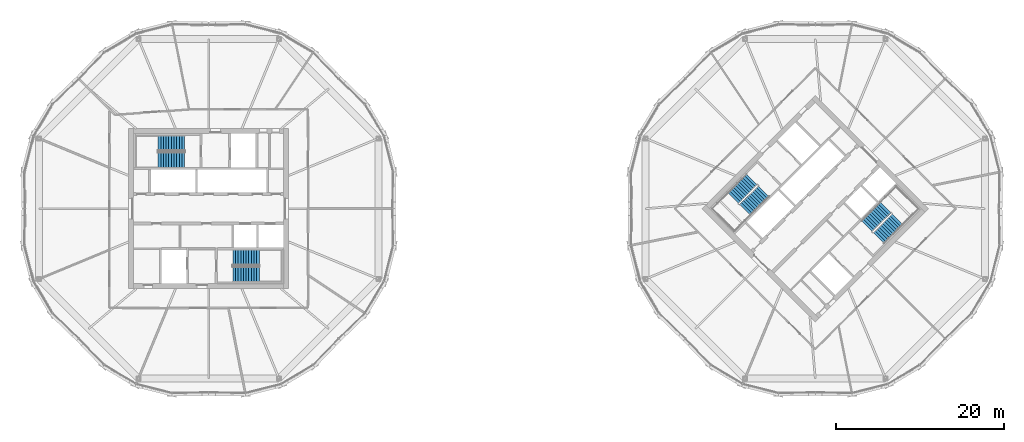
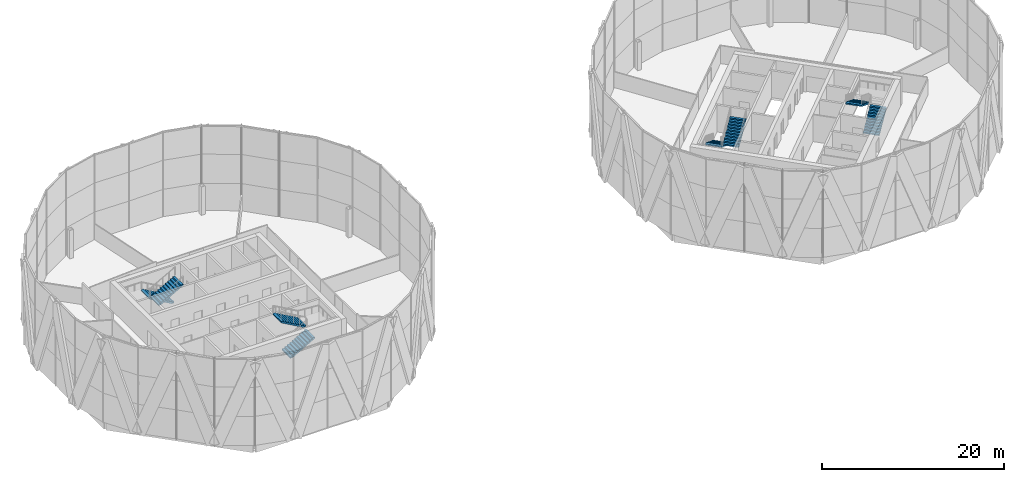
# One storey, part 21 of 23: 8 stair flights, 4 elements without a shape of their own.
"""IFC4 building model written with IfcOpenShell, lengths in metres."""

from ifc_helpers import new_model, si_unit, direction, frame, origin, place, context, subcontext, project, spatial, polyline, outline, extrude, material, type_object, element, aggregate, save


model = new_model("IFC4")

# Units and contexts
model_context = context("Model", 3, precision=1e-05, world=origin(), true_north=direction((0.0, 1.0)))
body_context = subcontext(model_context, "Body", "Model", "MODEL_VIEW")
ifc_project = project(units=[si_unit("LENGTHUNIT", "METRE"), si_unit("AREAUNIT", "SQUARE_METRE"), si_unit("VOLUMEUNIT", "CUBIC_METRE"), si_unit("PLANEANGLEUNIT", "RADIAN"), si_unit("MASSUNIT", "GRAM", prefix="KILO")], contexts=[model_context])

# Site, building, storey
site_placement = place(None, origin())
site = spatial("IfcSite", under=ifc_project, at=site_placement, CompositionType="ELEMENT")
building_placement = place(site_placement, origin())
building = spatial("IfcBuilding", under=site, at=building_placement, Name="Ogive Gate Towers", CompositionType="ELEMENT")
storey_placement = place(building_placement, frame((0.0, 0.0, 177.300048828125)))
storey = spatial("IfcBuildingStorey", under=building, at=storey_placement, Name="L42", CompositionType="ELEMENT", Elevation=177.300048828125)

# Stair, stair flights
ifc_material = material(Name="Concrete C40/50", Category="concrete")
stair_type = type_object("IfcStairType", Name="Escape stair 1840 wide", PredefinedType="HALF_TURN_STAIR", material=ifc_material)
stair_1_placement = place(storey_placement, origin())
stair_1 = element("IfcStair", 1, at=stair_1_placement, inside=storey, type_object=stair_type, Name="L42 Escape stair 1", PredefinedType="HALF_TURN_STAIR")
stair_flight_type = type_object("IfcStairFlightType", Name="Stair flight 1840 wide", PredefinedType="STRAIGHT", material=ifc_material)
stair_flight_1_placement = place(storey_placement, frame((-38.864990234375, 7.780029296875, 0.0), z_axis=(0.0, 0.0, 1.0), x_axis=(-1.0, 0.0, 0.0)))
stair_flight_1 = element("IfcStairFlight", 2, at=stair_flight_1_placement, type_object=stair_flight_type, Name="ST1 flight 1", NumberOfRisers=11, NumberOfTreads=10, PredefinedType="STRAIGHT", RiserHeight=0.177272727, TreadLength=0.313636364, context=body_context, shape_type="SweptSolid", body=[
    extrude(outline(polyline([(0.0, 0.0), (0.0, 0.17724609375), (0.313720703125, 0.17724609375), (0.313720703125, 0.3544921875), (0.627197265625, 0.3544921875), (0.627197265625, 0.53173828125), (0.94091796875, 0.53173828125), (0.94091796875, 0.708984375), (1.254638671875, 0.708984375), (1.254638671875, 0.886474609375), (1.568115234375, 0.886474609375), (1.568115234375, 1.063720703125), (1.8818359375, 1.063720703125), (1.8818359375, 1.240966796875), (2.195556640625, 1.240966796875), (2.195556640625, 1.418212890625), (2.509033203125, 1.418212890625), (2.509033203125, 1.595458984375), (2.82275390625, 1.595458984375), (2.82275390625, 1.772705078125), (3.136474609375, 1.772705078125), (3.136474609375, 1.949951171875), (3.136474609375, 1.6005859375), (0.3046875, 0.0), (0.0, 0.0)])), frame((0.0, 0.919921875, 0.0), z_axis=(0.0, -1.0, 0.0), x_axis=(1.0, 0.0, 0.0)), (0.0, 0.0, 1.0), 1.840087890625),
])
stair_flight_2_placement = place(storey_placement, frame((-42.00146484375, 5.794921875, 1.949951171875), z_axis=(0.0, 0.0, 1.0), x_axis=(1.0, 0.0, 0.0)))
stair_flight_2 = element("IfcStairFlight", 3, at=stair_flight_2_placement, type_object=stair_flight_type, Name="ST1 flight 2", NumberOfRisers=11, NumberOfTreads=10, PredefinedType="STRAIGHT", RiserHeight=0.177272727, TreadLength=0.313636364, context=body_context, shape_type="SweptSolid", body=[
    extrude(outline(polyline([(0.0, 0.0), (0.0, 0.17724609375), (0.313720703125, 0.17724609375), (0.313720703125, 0.3544921875), (0.627197265625, 0.3544921875), (0.627197265625, 0.53173828125), (0.94091796875, 0.53173828125), (0.94091796875, 0.708984375), (1.254638671875, 0.708984375), (1.254638671875, 0.886474609375), (1.568115234375, 0.886474609375), (1.568115234375, 1.063720703125), (1.8818359375, 1.063720703125), (1.8818359375, 1.240966796875), (2.195556640625, 1.240966796875), (2.195556640625, 1.418212890625), (2.509033203125, 1.418212890625), (2.509033203125, 1.595458984375), (2.82275390625, 1.595458984375), (2.82275390625, 1.772705078125), (3.136474609375, 1.772705078125), (3.136474609375, 1.949951171875), (3.136474609375, 1.6005859375), (0.3046875, 0.0), (0.0, 0.0)])), frame((0.0, 0.919921875, 0.0), z_axis=(0.0, -1.0, 0.0), x_axis=(1.0, 0.0, 0.0)), (0.0, 0.0, 1.0), 1.840087890625),
])
aggregate(stair_1, [stair_flight_1, stair_flight_2])

stair_2_placement = place(storey_placement, origin())
stair_2 = element("IfcStair", 4, at=stair_2_placement, inside=storey, type_object=stair_type, Name="L42 Escape stair 2", PredefinedType="HALF_TURN_STAIR")
stair_flight_3_placement = place(storey_placement, frame((-33.135009765625, -7.780029296875, 0.0), z_axis=(0.0, 0.0, 1.0), x_axis=(1.0, 0.0, 0.0)))
stair_flight_3 = element("IfcStairFlight", 5, at=stair_flight_3_placement, type_object=stair_flight_type, Name="ST2 flight 1", NumberOfRisers=11, NumberOfTreads=10, PredefinedType="STRAIGHT", RiserHeight=0.177272727, TreadLength=0.313636364, context=body_context, shape_type="SweptSolid", body=[
    extrude(outline(polyline([(0.0, 0.0), (0.0, 0.17724609375), (0.313720703125, 0.17724609375), (0.313720703125, 0.3544921875), (0.627197265625, 0.3544921875), (0.627197265625, 0.53173828125), (0.94091796875, 0.53173828125), (0.94091796875, 0.708984375), (1.254638671875, 0.708984375), (1.254638671875, 0.886474609375), (1.568115234375, 0.886474609375), (1.568115234375, 1.063720703125), (1.8818359375, 1.063720703125), (1.8818359375, 1.240966796875), (2.195556640625, 1.240966796875), (2.195556640625, 1.418212890625), (2.509033203125, 1.418212890625), (2.509033203125, 1.595458984375), (2.82275390625, 1.595458984375), (2.82275390625, 1.772705078125), (3.136474609375, 1.772705078125), (3.136474609375, 1.949951171875), (3.136474609375, 1.6005859375), (0.3046875, 0.0), (0.0, 0.0)])), frame((0.0, 0.919921875, 0.0), z_axis=(0.0, -1.0, 0.0), x_axis=(1.0, 0.0, 0.0)), (0.0, 0.0, 1.0), 1.840087890625),
])
stair_flight_4_placement = place(storey_placement, frame((-29.99853515625, -5.794921875, 1.949951171875), z_axis=(0.0, 0.0, 1.0), x_axis=(-1.0, 0.0, 0.0)))
stair_flight_4 = element("IfcStairFlight", 6, at=stair_flight_4_placement, type_object=stair_flight_type, Name="ST2 flight 2", NumberOfRisers=11, NumberOfTreads=10, PredefinedType="STRAIGHT", RiserHeight=0.177272727, TreadLength=0.313636364, context=body_context, shape_type="SweptSolid", body=[
    extrude(outline(polyline([(0.0, 0.0), (0.0, 0.17724609375), (0.313720703125, 0.17724609375), (0.313720703125, 0.3544921875), (0.627197265625, 0.3544921875), (0.627197265625, 0.53173828125), (0.94091796875, 0.53173828125), (0.94091796875, 0.708984375), (1.254638671875, 0.708984375), (1.254638671875, 0.886474609375), (1.568115234375, 0.886474609375), (1.568115234375, 1.063720703125), (1.8818359375, 1.063720703125), (1.8818359375, 1.240966796875), (2.195556640625, 1.240966796875), (2.195556640625, 1.418212890625), (2.509033203125, 1.418212890625), (2.509033203125, 1.595458984375), (2.82275390625, 1.595458984375), (2.82275390625, 1.772705078125), (3.136474609375, 1.772705078125), (3.136474609375, 1.949951171875), (3.136474609375, 1.6005859375), (0.3046875, 0.0), (0.0, 0.0)])), frame((0.0, 0.919921875, 0.0), z_axis=(0.0, -1.0, 0.0), x_axis=(1.0, 0.0, 0.0)), (0.0, 0.0, 1.0), 1.840087890625),
])
aggregate(stair_2, [stair_flight_3, stair_flight_4])

stair_3_placement = place(storey_placement, origin())
stair_3 = element("IfcStair", 7, at=stair_3_placement, inside=storey, type_object=stair_type, Name="L42 Escape stair 1", PredefinedType="HALF_TURN_STAIR")
stair_flight_5_placement = place(storey_placement, frame((28.472900390625, 3.475341796875, 0.0), z_axis=(0.0, 0.0, 1.0), x_axis=(-0.707106781187, -0.707106781187, 0.0)))
stair_flight_5 = element("IfcStairFlight", 8, at=stair_flight_5_placement, type_object=stair_flight_type, Name="ST1 flight 1", NumberOfRisers=11, NumberOfTreads=10, PredefinedType="STRAIGHT", RiserHeight=0.177272727, TreadLength=0.313636364, context=body_context, shape_type="SweptSolid", body=[
    extrude(outline(polyline([(0.0, 0.0), (0.0, 0.17724609375), (0.313720703125, 0.17724609375), (0.313720703125, 0.3544921875), (0.627197265625, 0.3544921875), (0.627197265625, 0.53173828125), (0.94091796875, 0.53173828125), (0.94091796875, 0.708984375), (1.254638671875, 0.708984375), (1.254638671875, 0.886474609375), (1.568115234375, 0.886474609375), (1.568115234375, 1.063720703125), (1.8818359375, 1.063720703125), (1.8818359375, 1.240966796875), (2.195556640625, 1.240966796875), (2.195556640625, 1.418212890625), (2.509033203125, 1.418212890625), (2.509033203125, 1.595458984375), (2.82275390625, 1.595458984375), (2.82275390625, 1.772705078125), (3.136474609375, 1.772705078125), (3.136474609375, 1.949951171875), (3.136474609375, 1.6005859375), (0.3046875, 0.0), (0.0, 0.0)])), frame((0.0, 0.919921875, 0.0), z_axis=(0.0, -1.0, 0.0), x_axis=(1.0, 0.0, 0.0)), (0.0, 0.0, 1.0), 1.840087890625),
])
stair_flight_6_placement = place(storey_placement, frame((27.65869140625, -0.14599609375, 1.949951171875), z_axis=(0.0, 0.0, 1.0), x_axis=(0.707106781187, 0.707106781187, 0.0)))
stair_flight_6 = element("IfcStairFlight", 9, at=stair_flight_6_placement, type_object=stair_flight_type, Name="ST1 flight 2", NumberOfRisers=11, NumberOfTreads=10, PredefinedType="STRAIGHT", RiserHeight=0.177272727, TreadLength=0.313636364, context=body_context, shape_type="SweptSolid", body=[
    extrude(outline(polyline([(0.0, 0.0), (0.0, 0.17724609375), (0.313720703125, 0.17724609375), (0.313720703125, 0.3544921875), (0.627197265625, 0.3544921875), (0.627197265625, 0.53173828125), (0.94091796875, 0.53173828125), (0.94091796875, 0.708984375), (1.254638671875, 0.708984375), (1.254638671875, 0.886474609375), (1.568115234375, 0.886474609375), (1.568115234375, 1.063720703125), (1.8818359375, 1.063720703125), (1.8818359375, 1.240966796875), (2.195556640625, 1.240966796875), (2.195556640625, 1.418212890625), (2.509033203125, 1.418212890625), (2.509033203125, 1.595458984375), (2.82275390625, 1.595458984375), (2.82275390625, 1.772705078125), (3.136474609375, 1.772705078125), (3.136474609375, 1.949951171875), (3.136474609375, 1.6005859375), (0.3046875, 0.0), (0.0, 0.0)])), frame((0.0, 0.919921875, 0.0), z_axis=(0.0, -1.0, 0.0), x_axis=(1.0, 0.0, 0.0)), (0.0, 0.0, 1.0), 1.840087890625),
])
aggregate(stair_3, [stair_flight_5, stair_flight_6])

stair_4_placement = place(storey_placement, origin())
stair_4 = element("IfcStair", 10, at=stair_4_placement, inside=storey, type_object=stair_type, Name="L42 Escape stair 2", PredefinedType="HALF_TURN_STAIR")
stair_flight_7_placement = place(storey_placement, frame((43.527099609375, -3.475341796875, 0.0), z_axis=(0.0, 0.0, 1.0), x_axis=(0.707106781187, 0.707106781187, 0.0)))
stair_flight_7 = element("IfcStairFlight", 11, at=stair_flight_7_placement, type_object=stair_flight_type, Name="ST2 flight 1", NumberOfRisers=11, NumberOfTreads=10, PredefinedType="STRAIGHT", RiserHeight=0.177272727, TreadLength=0.313636364, context=body_context, shape_type="SweptSolid", body=[
    extrude(outline(polyline([(0.0, 0.0), (0.0, 0.17724609375), (0.313720703125, 0.17724609375), (0.313720703125, 0.3544921875), (0.627197265625, 0.3544921875), (0.627197265625, 0.53173828125), (0.94091796875, 0.53173828125), (0.94091796875, 0.708984375), (1.254638671875, 0.708984375), (1.254638671875, 0.886474609375), (1.568115234375, 0.886474609375), (1.568115234375, 1.063720703125), (1.8818359375, 1.063720703125), (1.8818359375, 1.240966796875), (2.195556640625, 1.240966796875), (2.195556640625, 1.418212890625), (2.509033203125, 1.418212890625), (2.509033203125, 1.595458984375), (2.82275390625, 1.595458984375), (2.82275390625, 1.772705078125), (3.136474609375, 1.772705078125), (3.136474609375, 1.949951171875), (3.136474609375, 1.6005859375), (0.3046875, 0.0), (0.0, 0.0)])), frame((0.0, 0.919921875, 0.0), z_axis=(0.0, -1.0, 0.0), x_axis=(1.0, 0.0, 0.0)), (0.0, 0.0, 1.0), 1.840087890625),
])
stair_flight_8_placement = place(storey_placement, frame((44.34130859375, 0.14599609375, 1.949951171875), z_axis=(0.0, 0.0, 1.0), x_axis=(-0.707106781187, -0.707106781187, 0.0)))
stair_flight_8 = element("IfcStairFlight", 12, at=stair_flight_8_placement, type_object=stair_flight_type, Name="ST2 flight 2", NumberOfRisers=11, NumberOfTreads=10, PredefinedType="STRAIGHT", RiserHeight=0.177272727, TreadLength=0.313636364, context=body_context, shape_type="SweptSolid", body=[
    extrude(outline(polyline([(0.0, 0.0), (0.0, 0.17724609375), (0.313720703125, 0.17724609375), (0.313720703125, 0.3544921875), (0.627197265625, 0.3544921875), (0.627197265625, 0.53173828125), (0.94091796875, 0.53173828125), (0.94091796875, 0.708984375), (1.254638671875, 0.708984375), (1.254638671875, 0.886474609375), (1.568115234375, 0.886474609375), (1.568115234375, 1.063720703125), (1.8818359375, 1.063720703125), (1.8818359375, 1.240966796875), (2.195556640625, 1.240966796875), (2.195556640625, 1.418212890625), (2.509033203125, 1.418212890625), (2.509033203125, 1.595458984375), (2.82275390625, 1.595458984375), (2.82275390625, 1.772705078125), (3.136474609375, 1.772705078125), (3.136474609375, 1.949951171875), (3.136474609375, 1.6005859375), (0.3046875, 0.0), (0.0, 0.0)])), frame((0.0, 0.919921875, 0.0), z_axis=(0.0, -1.0, 0.0), x_axis=(1.0, 0.0, 0.0)), (0.0, 0.0, 1.0), 1.840087890625),
])
aggregate(stair_4, [stair_flight_7, stair_flight_8])

save(model, "model.ifc")
